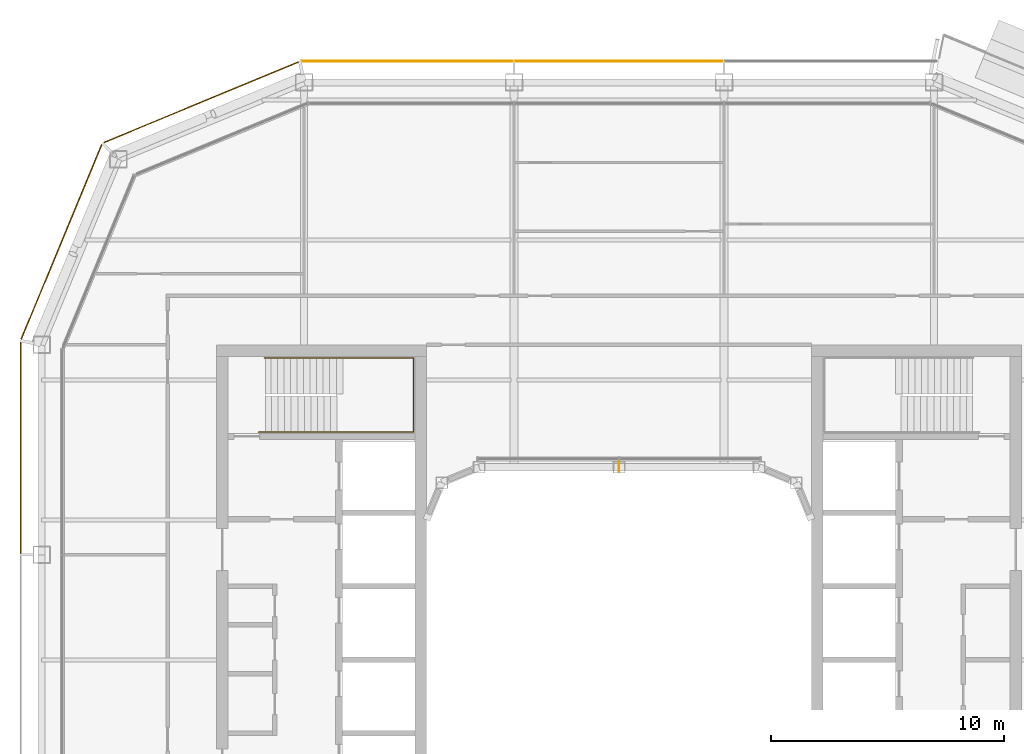
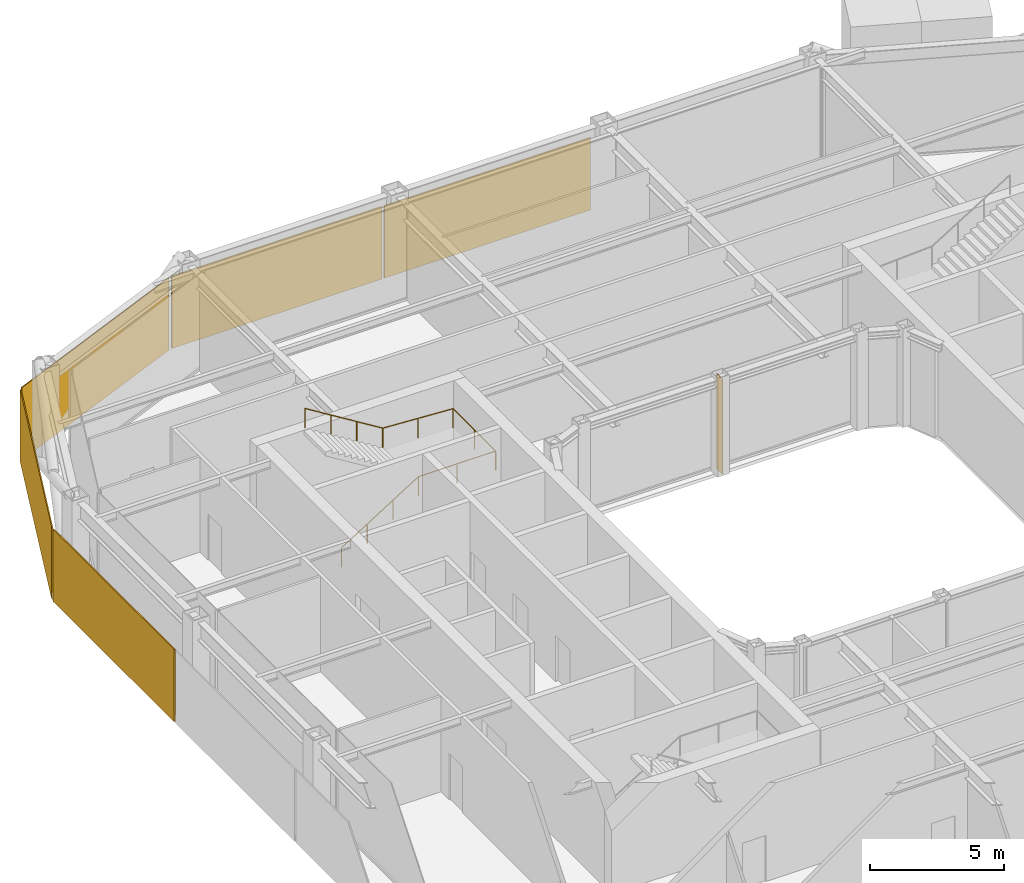
# One storey, part 18 of 20: 5 coverings, 1 railing, 1 shading device.
"""IFC4 building model written with IfcOpenShell, lengths in metres."""

from ifc_helpers import new_model, si_unit, direction, frame, origin, origin_2d, place, context, subcontext, project, spatial, rectangle, circle, extrude, material, layer, layer_set, type_object, element, save


model = new_model("IFC4")

# Units and contexts
model_context = context("Model", 3, precision=1e-05, world=origin(), true_north=direction((0.0, 1.0)))
body_context = subcontext(model_context, "Body", "Model", "MODEL_VIEW")
ifc_project = project(units=[si_unit("LENGTHUNIT", "METRE"), si_unit("AREAUNIT", "SQUARE_METRE"), si_unit("VOLUMEUNIT", "CUBIC_METRE"), si_unit("PLANEANGLEUNIT", "RADIAN"), si_unit("MASSUNIT", "GRAM", prefix="KILO")], contexts=[model_context])

# Site, building, storey
site_placement = place(None, origin())
site = spatial("IfcSite", under=ifc_project, at=site_placement, CompositionType="ELEMENT")
building_placement = place(site_placement, origin())
building = spatial("IfcBuilding", under=site, at=building_placement, Name="Siwar Civic Tower", CompositionType="ELEMENT")
storey_placement = place(building_placement, frame((0.0, 0.0, 307.699951171875)))
storey = spatial("IfcBuildingStorey", under=building, at=storey_placement, Name="L66", CompositionType="ELEMENT", Elevation=307.699951171875)

# Railing
ifc_material_1 = material(Name="Stainless steel", Category="steel")
railing_type = type_object("IfcRailingType", Name="CORE-STAIR-HANDRAIL", PredefinedType="HANDRAIL", material=ifc_material_1)
railing_placement = place(storey_placement, frame((-15.449951171875, 9.758056640625, 0.173095703125)))
element("IfcRailing", 1, at=railing_placement, inside=storey, type_object=railing_type, Name="Stair handrail ST1", PredefinedType="HANDRAIL", context=body_context, shape_type="SweptSolid", body=[
    extrude(circle(Radius=0.02001953125, at=origin_2d()), frame((0.0, 0.0, 0.8798828125), z_axis=(0.847063342986, 0.0, 0.531491950051), x_axis=(0.0, 1.0, 0.0)), (0.0, 0.0, 1.0), 3.90771484375),
    extrude(circle(Radius=0.02001953125, at=origin_2d()), frame((3.31005859375, 0.0, 2.956787109375), z_axis=(1.0, 0.0, 0.0), x_axis=(0.0, 1.0, 0.0)), (0.0, 0.0, 1.0), 3.331787109375),
    extrude(circle(Radius=0.02001953125, at=origin_2d()), frame((6.641845703125, 0.0, 2.956787109375), z_axis=(0.0, 1.0, 0.0), x_axis=(-1.0, 0.0, 0.0)), (0.0, 0.0, 1.0), 3.183837890625),
    extrude(circle(Radius=0.02001953125, at=origin_2d()), frame((6.641845703125, 3.183837890625, 2.956787109375), z_axis=(-0.99837434197, 0.0, 0.056997134106), x_axis=(0.0, -1.0, 0.0)), (0.0, 0.0, 1.0), 3.036865234375),
    extrude(circle(Radius=0.02001953125, at=origin_2d()), frame((3.60986328125, 3.183837890625, 3.1298828125), z_axis=(-0.850606129759, 0.0, 0.525803396734), x_axis=(0.0, -1.0, 0.0)), (0.0, 0.0, 1.0), 3.949951171875),
    extrude(circle(Radius=0.02001953125, at=origin_2d()), origin(), (0.0, 0.0, 1.0), 0.85986328125),
    extrude(circle(Radius=0.02001953125, at=origin_2d()), frame((1.103271484375, 0.0, 0.6923828125)), (0.0, 0.0, 1.0), 0.85986328125),
    extrude(circle(Radius=0.02001953125, at=origin_2d()), frame((2.206787109375, 0.0, 1.384521484375)), (0.0, 0.0, 1.0), 0.85986328125),
    extrude(circle(Radius=0.02001953125, at=origin_2d()), frame((3.31005859375, 0.0, 2.076904296875)), (0.0, 0.0, 1.0), 0.85986328125),
    extrude(circle(Radius=0.02001953125, at=origin_2d()), frame((4.97607421875, 0.0, 2.076904296875)), (0.0, 0.0, 1.0), 0.85986328125),
    extrude(circle(Radius=0.02001953125, at=origin_2d()), frame((6.641845703125, 0.0, 2.076904296875)), (0.0, 0.0, 1.0), 0.85986328125),
    extrude(circle(Radius=0.02001953125, at=origin_2d()), frame((6.641845703125, 1.591796875, 2.076904296875)), (0.0, 0.0, 1.0), 0.85986328125),
    extrude(circle(Radius=0.02001953125, at=origin_2d()), frame((6.641845703125, 3.183837890625, 2.076904296875)), (0.0, 0.0, 1.0), 0.85986328125),
    extrude(circle(Radius=0.02001953125, at=origin_2d()), frame((5.1259765625, 3.183837890625, 2.16357421875)), (0.0, 0.0, 1.0), 0.85986328125),
    extrude(circle(Radius=0.02001953125, at=origin_2d()), frame((3.60986328125, 3.183837890625, 2.25)), (0.0, 0.0, 1.0), 0.85986328125),
    extrude(circle(Radius=0.02001953125, at=origin_2d()), frame((2.489990234375, 3.183837890625, 2.9423828125)), (0.0, 0.0, 1.0), 0.85986328125),
    extrude(circle(Radius=0.02001953125, at=origin_2d()), frame((1.369873046875, 3.183837890625, 3.634521484375)), (0.0, 0.0, 1.0), 0.85986328125),
    extrude(circle(Radius=0.02001953125, at=origin_2d()), frame((0.25, 3.183837890625, 4.326904296875)), (0.0, 0.0, 1.0), 0.85986328125),
])

# Shading device
ifc_material_2 = material(Name="Aluminium 6063-T6", Category="aluminium")
ifc_layer_1 = layer(ifc_material_2, 0.02001953125)
ifc_layer_set_1 = layer_set([ifc_layer_1], Name="Aluminium 6063-T6")
shading_device_type = type_object("IfcShadingDeviceType", Name="ENV-FIN", PredefinedType="JALOUSIE", material=ifc_layer_set_1)
shading_device_placement = place(storey_placement, frame((0.0, 8.294921875, 0.0), z_axis=(0.0, 0.0, 1.0), x_axis=(-1.0, 0.0, 0.0)))
element("IfcShadingDevice", 2, at=shading_device_placement, inside=storey, type_object=shading_device_type, Name="SUNSHADE fin WN 1", PredefinedType="JALOUSIE", context=body_context, shape_type="SweptSolid", body=[
    extrude(rectangle(XDim=0.02001953125, YDim=0.449951171875, at=origin_2d()), origin(), (0.0, 0.0, 1.0), 4.35009765625),
])

# Coverings
ifc_material_3 = material(Name="Perforated aluminium cassette, pale metal", Category="aluminium")
ifc_layer_2 = layer(ifc_material_3, 0.0400390625)
ifc_layer_set_2 = layer_set([ifc_layer_2], Name="Perforated aluminium cassette, pale metal")
covering_type_1 = type_object("IfcCoveringType", Name="ENV-OUTER SKIN OS-1", PredefinedType="CLADDING", material=ifc_layer_set_2)
covering_1_placement = place(storey_placement, frame((0.0, 25.64990234375, -0.14990234375), z_axis=(0.0, 0.0, 1.0), x_axis=(-1.0, 0.0, 0.0)))
element("IfcCovering", 3, at=covering_1_placement, inside=storey, type_object=covering_type_1, Name="OUTER SKIN OS-1 N 2", PredefinedType="CLADDING", context=body_context, shape_type="SweptSolid", body=[
    extrude(rectangle(XDim=8.89990234375, YDim=0.0400390625, at=origin_2d()), origin(), (0.0, 0.0, 1.0), 3.300048828125),
])
covering_2_placement = place(storey_placement, frame((-9.07958984375, 25.64990234375, -0.14990234375), z_axis=(0.0, 0.0, 1.0), x_axis=(-1.0, 0.0, 0.0)))
element("IfcCovering", 4, at=covering_2_placement, inside=storey, type_object=covering_type_1, Name="OUTER SKIN OS-1 N 3", PredefinedType="CLADDING", context=body_context, shape_type="SweptSolid", body=[
    extrude(rectangle(XDim=9.05908203125, YDim=0.0400390625, at=origin_2d()), origin(), (0.0, 0.0, 1.0), 3.300048828125),
])
covering_3_placement = place(storey_placement, frame((-17.911376953125, 23.89697265625, -0.14990234375), z_axis=(0.0, 0.0, 1.0), x_axis=(-0.923879532511, -0.382683432365, 0.0)))
element("IfcCovering", 5, at=covering_3_placement, inside=storey, type_object=covering_type_1, Name="OUTER SKIN OS-1 NW1 1", PredefinedType="CLADDING", context=body_context, shape_type="SweptSolid", body=[
    extrude(rectangle(XDim=9.022216796875, YDim=0.0400390625, at=origin_2d()), origin(), (0.0, 0.0, 1.0), 3.300048828125),
])
ifc_material_4 = material(Name="Perforated aluminium cassette, pale metal", Category="aluminium")
ifc_layer_3 = layer(ifc_material_4, 0.044921875)
ifc_layer_set_3 = layer_set([ifc_layer_3], Name="Perforated aluminium cassette, pale metal")
covering_type_2 = type_object("IfcCoveringType", Name="ENV-OUTER SKIN OS-2", PredefinedType="CLADDING", material=ifc_layer_set_3)
covering_4_placement = place(storey_placement, frame((-23.89697265625, 17.911376953125, -0.14990234375), z_axis=(0.0, 0.0, 1.0), x_axis=(-0.382683432365, -0.923879532511, 0.0)))
element("IfcCovering", 6, at=covering_4_placement, inside=storey, type_object=covering_type_2, Name="OUTER SKIN OS-2 NW2 1", PredefinedType="CLADDING", context=body_context, shape_type="SweptSolid", body=[
    extrude(rectangle(XDim=9.022216796875, YDim=0.044921875, at=origin_2d()), origin(), (0.0, 0.0, 1.0), 3.300048828125),
])
ifc_material_5 = material(Name="Perforated aluminium cassette, pale metal", Category="aluminium")
ifc_layer_4 = layer(ifc_material_5, 0.050048828125)
ifc_layer_set_4 = layer_set([ifc_layer_4], Name="Perforated aluminium cassette, pale metal")
covering_type_3 = type_object("IfcCoveringType", Name="ENV-OUTER SKIN OS-3", PredefinedType="CLADDING", material=ifc_layer_set_4)
covering_5_placement = place(storey_placement, frame((-25.64990234375, 9.07958984375, -0.14990234375), z_axis=(0.0, 0.0, 1.0), x_axis=(0.0, -1.0, 0.0)))
element("IfcCovering", 7, at=covering_5_placement, inside=storey, type_object=covering_type_3, Name="OUTER SKIN OS-3 W 1", PredefinedType="CLADDING", context=body_context, shape_type="SweptSolid", body=[
    extrude(rectangle(XDim=9.05908203125, YDim=0.050048828125, at=origin_2d()), origin(), (0.0, 0.0, 1.0), 3.300048828125),
])

save(model, "model.ifc")
